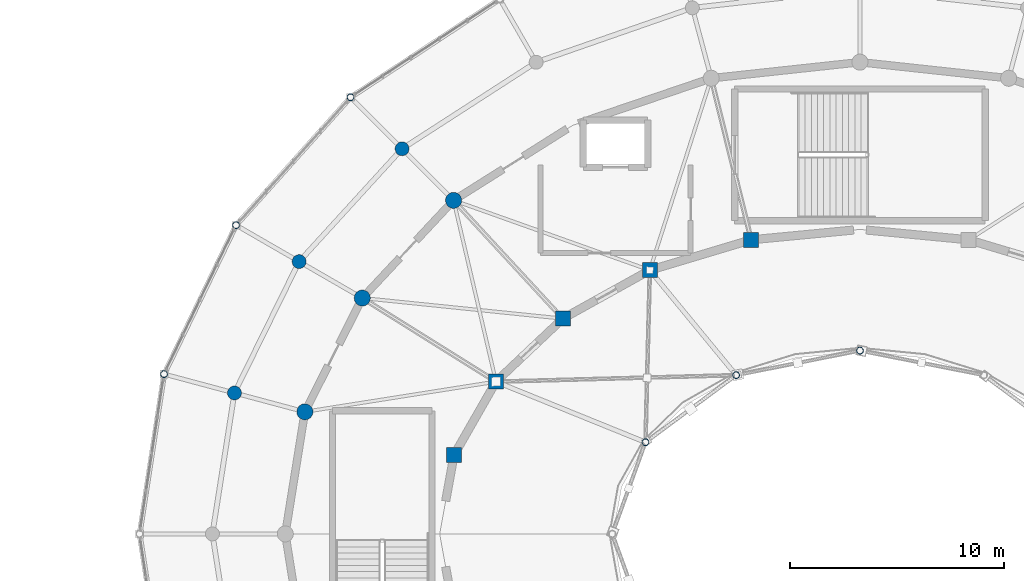
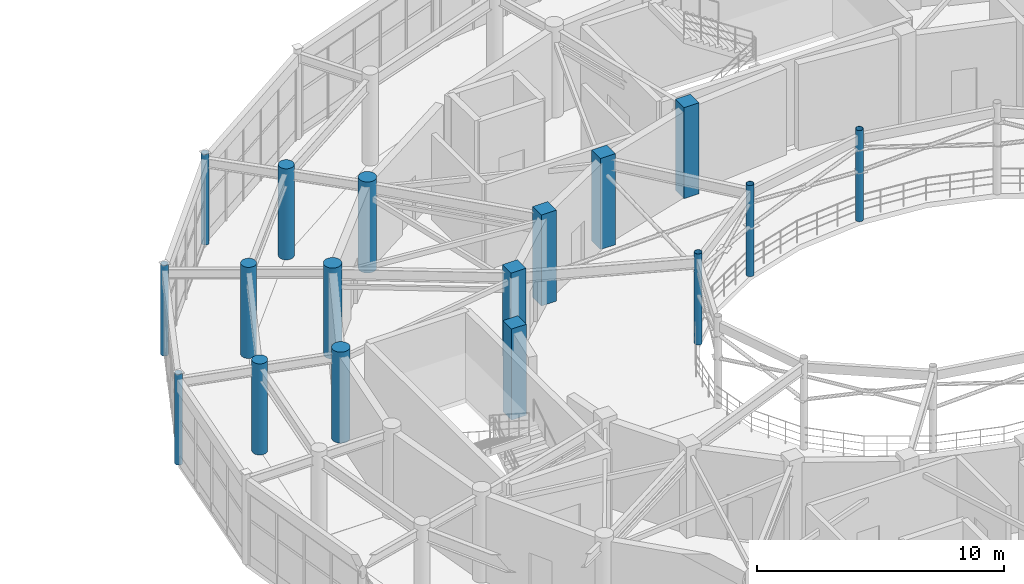
# One storey, part 6 of 60: 17 columns.
"""IFC4 building model written with IfcOpenShell, lengths in metres."""

from ifc_helpers import new_model, si_unit, direction, frame, origin, origin_2d, place, context, subcontext, project, spatial, rectangle, circle, hollow_circle, extrude, material, material_profile, profile_set, type_object, element, save


model = new_model("IFC4")

# Units and contexts
model_context = context("Model", 3, precision=1e-05, world=origin(), true_north=direction((0.0, 1.0)))
body_context = subcontext(model_context, "Body", "Model", "MODEL_VIEW")
ifc_project = project(units=[si_unit("LENGTHUNIT", "METRE"), si_unit("AREAUNIT", "SQUARE_METRE"), si_unit("VOLUMEUNIT", "CUBIC_METRE"), si_unit("PLANEANGLEUNIT", "RADIAN"), si_unit("MASSUNIT", "GRAM", prefix="KILO")], contexts=[model_context])

# Site, building, storey
site_placement = place(None, origin())
site = spatial("IfcSite", under=ifc_project, at=site_placement, CompositionType="ELEMENT")
building_placement = place(site_placement, origin())
building = spatial("IfcBuilding", under=site, at=building_placement, Name="Cinderbank Siding Concert Hall", CompositionType="ELEMENT")
storey_placement = place(building_placement, frame((0.0, 0.0, 14.699951171875)))
storey = spatial("IfcBuildingStorey", under=building, at=storey_placement, Name="L04", CompositionType="ELEMENT", Elevation=14.699951171875)

# Columns
ifc_material_1 = material(Name="Structural steel hollow section AS/NZS 1163 Grade C350L0 (350 MPa)", Category="steel")
ifc_material_profile_1 = material_profile(ifc_material_1, hollow_circle(Radius=0.161865234375, WallThickness=0.0126953125, at=origin_2d()), Name="323.9x12.7CHS", Category="LoadBearing")
ifc_profile_set_1 = profile_set([ifc_material_profile_1], Name="Structural steel hollow section AS/NZS 1163 Grade C350L0 (350 MPa)")
column_type_1 = type_object("IfcColumnType", Name="C-CHS323 323.9x12.7CHS", PredefinedType="COLUMN", material=ifc_profile_set_1)
for number, where, z_axis, x_axis, name in (
    (1, (98.240966796875, 64.364990234375, 0.0), (0.0, 0.0, 1.0), (1.0, 0.0, 0.0), "L04 Column COL-E4-10"),
    (2, (92.90087890625, 58.39990234375, 0.0), (0.0, 0.0, 1.0), (1.0, 0.0, 0.0), "L04 Column COL-E4-11"),
    (3, (89.544921875, 51.4541015625, 0.0), (0.0, 0.0, 1.0), (1.0, 0.0, 0.0), "L04 Column COL-E4-12"),
):
    element("IfcColumn", number, at=place(storey_placement, frame(where, z_axis=z_axis, x_axis=x_axis)), inside=storey, type_object=column_type_1, Name=name, PredefinedType="COLUMN", context=body_context, shape_type="SweptSolid", body=[
        extrude(hollow_circle(Radius=0.161865234375, WallThickness=0.0126953125, at=origin_2d()), origin(), (0.0, 0.0, 1.0), 4.47998046875),
    ])
for number, where, z_axis, x_axis, name in (
    (4, (122.0, 52.550048828125, 0.0), (0.0, 0.0, 1.0), (1.0, 0.0, 0.0), "L04 Column COL-E0-07"),
    (5, (116.22509765625, 51.404052734375, 0.0), (0.0, 0.0, 1.0), (1.0, 0.0, 0.0), "L04 Column COL-E0-09"),
    (6, (111.9970703125, 48.27490234375, 0.0), (0.0, 0.0, 1.0), (1.0, 0.0, 0.0), "L04 Column COL-E0-11"),
):
    element("IfcColumn", number, at=place(storey_placement, frame(where, z_axis=z_axis, x_axis=x_axis)), inside=storey, type_object=column_type_1, Name=name, PredefinedType="COLUMN", context=body_context, shape_type="SweptSolid", body=[
        extrude(hollow_circle(Radius=0.161865234375, WallThickness=0.0126953125, at=origin_2d()), origin(), (0.0, 0.0, 1.0), 4.5),
    ])
ifc_material_2 = material(Name="Reinforced concrete AS 3600 N50 (50 MPa)", Category="concrete")
ifc_material_profile_2 = material_profile(ifc_material_2, rectangle(XDim=0.699951171875, YDim=0.699951171875, at=origin_2d()), Name="RC-COL-700x700", Category="LoadBearing")
ifc_profile_set_2 = profile_set([ifc_material_profile_2], Name="Reinforced concrete AS 3600 N50 (50 MPa)")
column_type_2 = type_object("IfcColumnType", Name="C-RC700 RC-COL-700x700", PredefinedType="COLUMN", material=ifc_profile_set_2)
for number, where, z_axis, x_axis, name in (
    (7, (116.927001953125, 57.716064453125, 0.0), (0.0, 0.0, 1.0), (1.0, 0.0, 0.0), "L04 Column COL-E1-08"),
    (8, (112.199951171875, 56.298095703125, 0.0), (0.0, 0.0, 1.0), (1.0, 0.0, 0.0), "L04 Column COL-E1-09"),
    (9, (108.14111328125, 54.041015625, 0.0), (0.0, 0.0, 1.0), (1.0, 0.0, 0.0), "L04 Column COL-E1-10"),
    (10, (105.02587890625, 51.10009765625, 0.0), (0.0, 0.0, 1.0), (1.0, 0.0, 0.0), "L04 Column COL-E1-11"),
    (11, (103.068115234375, 47.675048828125, 0.0), (0.0, 0.0, 1.0), (1.0, 0.0, 0.0), "L04 Column COL-E1-12"),
):
    element("IfcColumn", number, at=place(storey_placement, frame(where, z_axis=z_axis, x_axis=x_axis)), inside=storey, type_object=column_type_2, Name=name, PredefinedType="COLUMN", context=body_context, shape_type="SweptSolid", body=[
        extrude(rectangle(XDim=0.699951171875, YDim=0.699951171875, at=origin_2d()), origin(), (0.0, 0.0, 1.0), 4.5),
    ])
ifc_material_profile_3 = material_profile(ifc_material_2, circle(Radius=0.324951171875, at=origin_2d()), Name="RC-COL-650DIA", Category="LoadBearing")
ifc_profile_set_3 = profile_set([ifc_material_profile_3], Name="Reinforced concrete AS 3600 N50 (50 MPa)")
column_type_3 = type_object("IfcColumnType", Name="C-RCD650 RC-COL-650DIA", PredefinedType="COLUMN", material=ifc_profile_set_3)
for number, where, z_axis, x_axis, name in (
    (12, (100.64501953125, 61.9609375, 0.0), (0.0, 0.0, 1.0), (1.0, 0.0, 0.0), "L04 Column COL-E3-10"),
    (13, (95.845947265625, 56.699951171875, 0.0), (0.0, 0.0, 1.0), (1.0, 0.0, 0.0), "L04 Column COL-E3-11"),
    (14, (92.8291015625, 50.573974609375, 0.0), (0.0, 0.0, 1.0), (1.0, 0.0, 0.0), "L04 Column COL-E3-12"),
):
    element("IfcColumn", number, at=place(storey_placement, frame(where, z_axis=z_axis, x_axis=x_axis)), inside=storey, type_object=column_type_3, Name=name, PredefinedType="COLUMN", context=body_context, shape_type="SweptSolid", body=[
        extrude(circle(Radius=0.324951171875, at=origin_2d()), origin(), (0.0, 0.0, 1.0), 4.5),
    ])
ifc_material_profile_4 = material_profile(ifc_material_2, circle(Radius=0.375, at=origin_2d()), Name="RC-COL-750DIA", Category="LoadBearing")
ifc_profile_set_4 = profile_set([ifc_material_profile_4], Name="Reinforced concrete AS 3600 N50 (50 MPa)")
column_type_4 = type_object("IfcColumnType", Name="C-RCD750 RC-COL-750DIA", PredefinedType="COLUMN", material=ifc_profile_set_4)
for number, where, z_axis, x_axis, name in (
    (15, (103.049072265625, 59.555908203125, 0.0), (0.0, 0.0, 1.0), (1.0, 0.0, 0.0), "L04 Column COL-E2-10"),
    (16, (98.7900390625, 55.0, 0.0), (0.0, 0.0, 1.0), (1.0, 0.0, 0.0), "L04 Column COL-E2-11"),
    (17, (96.113037109375, 49.694091796875, 0.0), (0.0, 0.0, 1.0), (1.0, 0.0, 0.0), "L04 Column COL-E2-12"),
):
    element("IfcColumn", number, at=place(storey_placement, frame(where, z_axis=z_axis, x_axis=x_axis)), inside=storey, type_object=column_type_4, Name=name, PredefinedType="COLUMN", context=body_context, shape_type="SweptSolid", body=[
        extrude(circle(Radius=0.375, at=origin_2d()), origin(), (0.0, 0.0, 1.0), 4.5),
    ])

save(model, "model.ifc")
